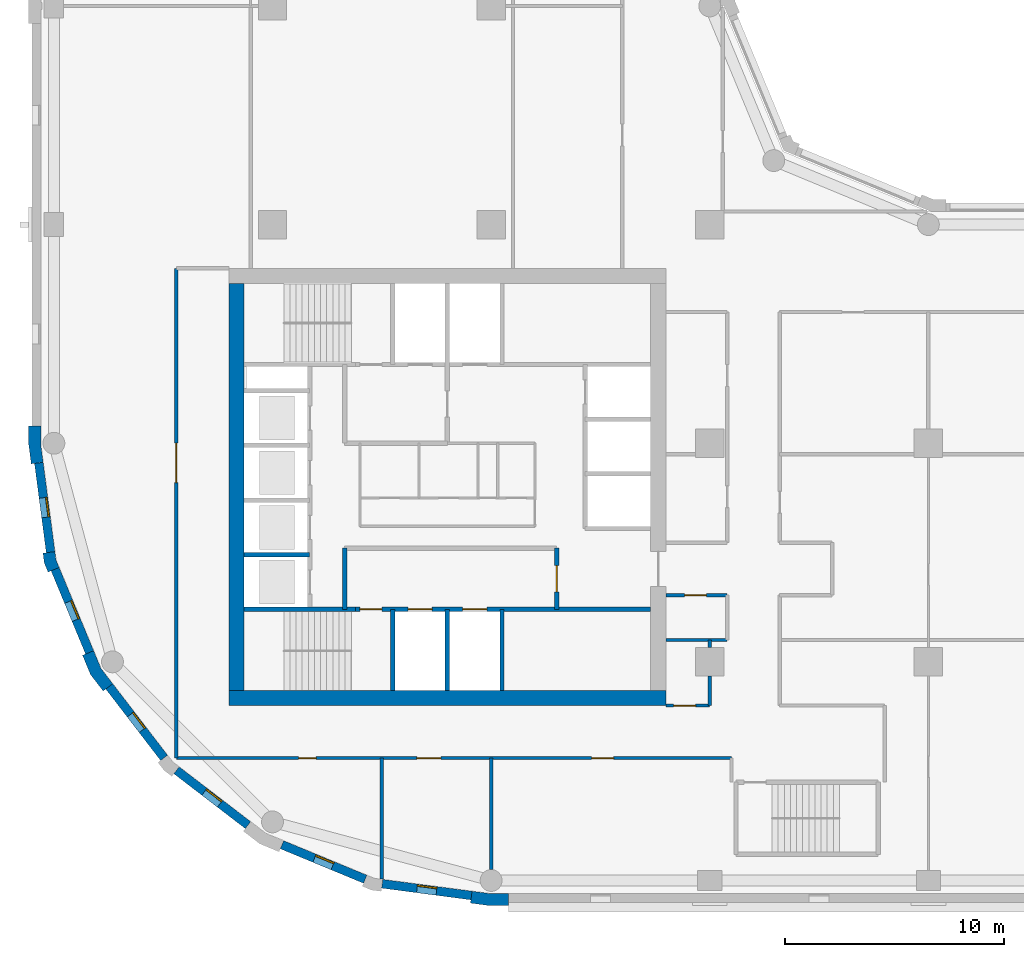
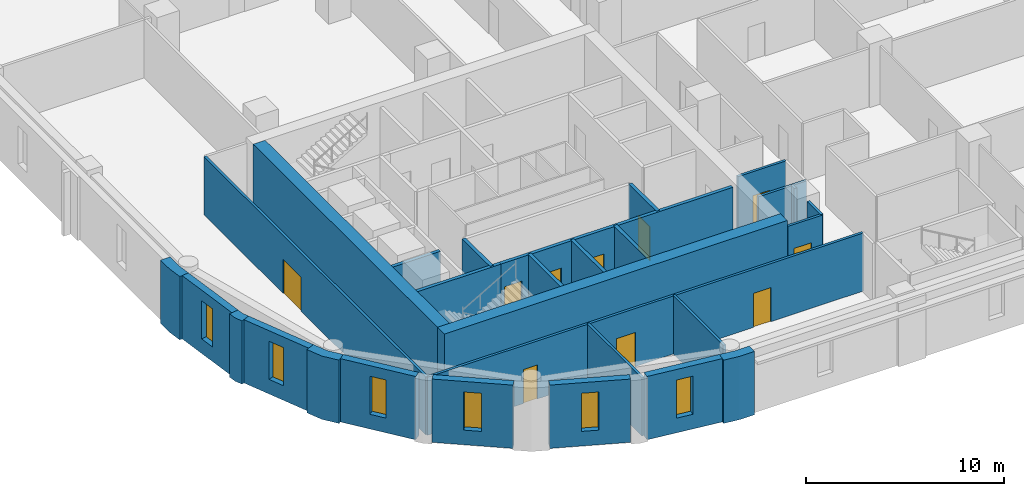
# One storey, part 2 of 9: 29 walls, 10 doors, 6 windows, 16 openings.
"""IFC4 building model written with IfcOpenShell, lengths in metres."""

from ifc_helpers import new_model, si_unit, direction, frame, frame_2d, origin, place, context, subcontext, project, spatial, polyline, rectangle, outline, extrude, material, layer, layer_set, type_object, element, fill, save


model = new_model("IFC4")

# Units and contexts
model_context = context("Model", 3, precision=1e-05, world=origin(), true_north=direction((0.0, 1.0)))
body_context = subcontext(model_context, "Body", "Model", "MODEL_VIEW")
ifc_project = project(units=[si_unit("LENGTHUNIT", "METRE"), si_unit("AREAUNIT", "SQUARE_METRE"), si_unit("VOLUMEUNIT", "CUBIC_METRE"), si_unit("PLANEANGLEUNIT", "RADIAN"), si_unit("MASSUNIT", "GRAM", prefix="KILO")], contexts=[model_context])

# Site, building, storey
site_placement = place(None, origin())
site = spatial("IfcSite", under=ifc_project, at=site_placement, CompositionType="ELEMENT")
building_placement = place(site_placement, origin())
building = spatial("IfcBuilding", under=site, at=building_placement, Name="Qaws Garden Tower", CompositionType="ELEMENT")
storey_placement = place(building_placement, frame((0.0, 0.0, 159.0)))
storey = spatial("IfcBuildingStorey", under=building, at=storey_placement, Name="L38", CompositionType="ELEMENT", Elevation=159.0)

# Wall, opening, window
ifc_material_1 = material(Name="Clay facing brick masonry", Category="masonry")
ifc_layer_1 = layer(ifc_material_1, 0.39990234375)
ifc_layer_set_1 = layer_set([ifc_layer_1], Name="Clay facing brick masonry")
wall_type_1 = type_object("IfcWallType", Name="Brick infill wall 400", PredefinedType="SOLIDWALL", material=ifc_layer_set_1)
wall_1_placement = place(storey_placement, frame((-0.688720703125, 19.102294921875, 0.0), z_axis=(0.0, 0.0, 1.0), x_axis=(0.130514280502, -0.991446429508, 0.0)))
wall_1 = element("IfcWall", 1, at=wall_1_placement, inside=storey, type_object=wall_type_1, Name="E-L38-infill-25", PredefinedType="SOLIDWALL", context=body_context, shape_type="SweptSolid", body=[
    extrude(rectangle(XDim=4.120849609375, YDim=0.39990234375, at=frame_2d((2.060546875, 0.0))), origin(), (0.0, 0.0, 1.0), 3.89990234375),
])
opening_1_placement = place(wall_1_placement, frame((1.610595703125, 0.0, 0.89990234375)))
opening_1 = element("IfcOpeningElement", 2, at=opening_1_placement, cuts=wall_1, Name="Opening W09", PredefinedType="OPENING", context=body_context, shape_type="SweptSolid", body=[
    extrude(rectangle(XDim=0.89990234375, YDim=2.35009765625, at=frame_2d((0.449951171875, 1.175048828125))), frame((0.0, 0.2099609375, 0.0), z_axis=(0.0, -1.0, 0.0), x_axis=(1.0, 0.0, 0.0)), (0.0, 0.0, 1.0), 0.419921875),
])
ifc_material_2 = material(Name="Aluminium framed window, clear glazing", Category="aluminium")
window_type = type_object("IfcWindowType", Name="Slit window 900 x 2350", PartitioningType="SINGLE_PANEL", PredefinedType="WINDOW", material=ifc_material_2)
window_1_placement = place(opening_1_placement, origin())
window_1 = element("IfcWindow", 3, at=window_1_placement, inside=storey, type_object=window_type, Name="E-L38-window-25-0", OverallHeight=2.35009765625, OverallWidth=0.89990234375, PartitioningType="SINGLE_PANEL", PredefinedType="WINDOW", context=body_context, shape_type="SweptSolid", body=[
    extrude(rectangle(XDim=0.89990234375, YDim=2.35009765625, at=frame_2d((0.449951171875, 1.175048828125))), frame((0.0, 0.159912109375, 0.0), z_axis=(0.0, -1.0, 0.0), x_axis=(1.0, 0.0, 0.0)), (0.0, 0.0, 1.0), 0.06005859375),
])
fill(opening_1, window_1)

wall_2_placement = place(storey_placement, frame((0.05712890625, 14.240234375, 0.0), z_axis=(0.0, 0.0, 1.0), x_axis=(0.382721546029, -0.923863744394, 0.0)))
wall_2 = element("IfcWall", 4, at=wall_2_placement, inside=storey, type_object=wall_type_1, Name="E-L38-infill-26", PredefinedType="SOLIDWALL", context=body_context, shape_type="SweptSolid", body=[
    extrude(rectangle(XDim=4.120849609375, YDim=0.39990234375, at=frame_2d((2.060546875, 0.0))), origin(), (0.0, 0.0, 1.0), 3.89990234375),
])
opening_2_placement = place(wall_2_placement, frame((1.610595703125, 0.0, 0.89990234375)))
opening_2 = element("IfcOpeningElement", 5, at=opening_2_placement, cuts=wall_2, Name="Opening W09", PredefinedType="OPENING", context=body_context, shape_type="SweptSolid", body=[
    extrude(rectangle(XDim=0.89990234375, YDim=2.35009765625, at=frame_2d((0.449951171875, 1.175048828125))), frame((0.0, 0.2099609375, 0.0), z_axis=(0.0, -1.0, 0.0), x_axis=(1.0, 0.0, 0.0)), (0.0, 0.0, 1.0), 0.419921875),
])
window_2_placement = place(opening_2_placement, origin())
window_2 = element("IfcWindow", 6, at=window_2_placement, inside=storey, type_object=window_type, Name="E-L38-window-26-0", OverallHeight=2.35009765625, OverallWidth=0.89990234375, PartitioningType="SINGLE_PANEL", PredefinedType="WINDOW", context=body_context, shape_type="SweptSolid", body=[
    extrude(rectangle(XDim=0.89990234375, YDim=2.35009765625, at=frame_2d((0.449951171875, 1.175048828125))), frame((0.0, 0.159912109375, 0.0), z_axis=(0.0, -1.0, 0.0), x_axis=(1.0, 0.0, 0.0)), (0.0, 0.0, 1.0), 0.06005859375),
])
fill(opening_2, window_2)

wall_3_placement = place(storey_placement, frame((2.53173828125, 8.87841796875, 0.0), z_axis=(0.0, 0.0, 1.0), x_axis=(0.608759824817, -0.793354571229, 0.0)))
wall_3 = element("IfcWall", 7, at=wall_3_placement, inside=storey, type_object=wall_type_1, Name="E-L38-infill-27", PredefinedType="SOLIDWALL", context=body_context, shape_type="SweptSolid", body=[
    extrude(rectangle(XDim=4.12109375, YDim=0.39990234375, at=frame_2d((2.060546875, 0.0))), origin(), (0.0, 0.0, 1.0), 3.89990234375),
])
opening_3_placement = place(wall_3_placement, frame((1.610595703125, 0.0, 0.89990234375)))
opening_3 = element("IfcOpeningElement", 8, at=opening_3_placement, cuts=wall_3, Name="Opening W09", PredefinedType="OPENING", context=body_context, shape_type="SweptSolid", body=[
    extrude(rectangle(XDim=0.89990234375, YDim=2.35009765625, at=frame_2d((0.449951171875, 1.175048828125))), frame((0.0, 0.2099609375, 0.0), z_axis=(0.0, -1.0, 0.0), x_axis=(1.0, 0.0, 0.0)), (0.0, 0.0, 1.0), 0.419921875),
])
window_3_placement = place(opening_3_placement, origin())
window_3 = element("IfcWindow", 9, at=window_3_placement, inside=storey, type_object=window_type, Name="E-L38-window-27-0", OverallHeight=2.35009765625, OverallWidth=0.89990234375, PartitioningType="SINGLE_PANEL", PredefinedType="WINDOW", context=body_context, shape_type="SweptSolid", body=[
    extrude(rectangle(XDim=0.89990234375, YDim=2.35009765625, at=frame_2d((0.449951171875, 1.175048828125))), frame((0.0, 0.159912109375, 0.0), z_axis=(0.0, -1.0, 0.0), x_axis=(1.0, 0.0, 0.0)), (0.0, 0.0, 1.0), 0.06005859375),
])
fill(opening_3, window_3)

wall_4_placement = place(storey_placement, frame((5.60888671875, 5.04052734375, 0.0), z_axis=(0.0, 0.0, 1.0), x_axis=(0.793354571229, -0.608759824817, 0.0)))
wall_4 = element("IfcWall", 10, at=wall_4_placement, inside=storey, type_object=wall_type_1, Name="E-L38-infill-28", PredefinedType="SOLIDWALL", context=body_context, shape_type="SweptSolid", body=[
    extrude(rectangle(XDim=4.12109375, YDim=0.39990234375, at=frame_2d((2.060546875, 0.0))), origin(), (0.0, 0.0, 1.0), 3.89990234375),
])
opening_4_placement = place(wall_4_placement, frame((1.610595703125, 0.0, 0.89990234375)))
opening_4 = element("IfcOpeningElement", 11, at=opening_4_placement, cuts=wall_4, Name="Opening W09", PredefinedType="OPENING", context=body_context, shape_type="SweptSolid", body=[
    extrude(rectangle(XDim=0.89990234375, YDim=2.35009765625, at=frame_2d((0.449951171875, 1.175048828125))), frame((0.0, 0.2099609375, 0.0), z_axis=(0.0, -1.0, 0.0), x_axis=(1.0, 0.0, 0.0)), (0.0, 0.0, 1.0), 0.419921875),
])
window_4_placement = place(opening_4_placement, origin())
window_4 = element("IfcWindow", 12, at=window_4_placement, inside=storey, type_object=window_type, Name="E-L38-window-28-0", OverallHeight=2.35009765625, OverallWidth=0.89990234375, PartitioningType="SINGLE_PANEL", PredefinedType="WINDOW", context=body_context, shape_type="SweptSolid", body=[
    extrude(rectangle(XDim=0.89990234375, YDim=2.35009765625, at=frame_2d((0.449951171875, 1.175048828125))), frame((0.0, 0.159912109375, 0.0), z_axis=(0.0, -1.0, 0.0), x_axis=(1.0, 0.0, 0.0)), (0.0, 0.0, 1.0), 0.06005859375),
])
fill(opening_4, window_4)

wall_5_placement = place(storey_placement, frame((10.43310546875, 1.63427734375, 0.0), z_axis=(0.0, 0.0, 1.0), x_axis=(0.923863744394, -0.382721546029, 0.0)))
wall_5 = element("IfcWall", 13, at=wall_5_placement, inside=storey, type_object=wall_type_1, Name="E-L38-infill-29", PredefinedType="SOLIDWALL", context=body_context, shape_type="SweptSolid", body=[
    extrude(rectangle(XDim=4.120849609375, YDim=0.39990234375, at=frame_2d((2.060546875, 0.0))), origin(), (0.0, 0.0, 1.0), 3.89990234375),
])
opening_5_placement = place(wall_5_placement, frame((1.610595703125, 0.0, 0.89990234375)))
opening_5 = element("IfcOpeningElement", 14, at=opening_5_placement, cuts=wall_5, Name="Opening W09", PredefinedType="OPENING", context=body_context, shape_type="SweptSolid", body=[
    extrude(rectangle(XDim=0.89990234375, YDim=2.35009765625, at=frame_2d((0.449951171875, 1.175048828125))), frame((0.0, 0.2099609375, 0.0), z_axis=(0.0, -1.0, 0.0), x_axis=(1.0, 0.0, 0.0)), (0.0, 0.0, 1.0), 0.419921875),
])
window_5_placement = place(opening_5_placement, origin())
window_5 = element("IfcWindow", 15, at=window_5_placement, inside=storey, type_object=window_type, Name="E-L38-window-29-0", OverallHeight=2.35009765625, OverallWidth=0.89990234375, PartitioningType="SINGLE_PANEL", PredefinedType="WINDOW", context=body_context, shape_type="SweptSolid", body=[
    extrude(rectangle(XDim=0.89990234375, YDim=2.35009765625, at=frame_2d((0.449951171875, 1.175048828125))), frame((0.0, 0.159912109375, 0.0), z_axis=(0.0, -1.0, 0.0), x_axis=(1.0, 0.0, 0.0)), (0.0, 0.0, 1.0), 0.06005859375),
])
fill(opening_5, window_5)

wall_6_placement = place(storey_placement, frame((15.0166015625, -0.15087890625, 0.0), z_axis=(0.0, 0.0, 1.0), x_axis=(0.991446429508, -0.130514280502, 0.0)))
wall_6 = element("IfcWall", 16, at=wall_6_placement, inside=storey, type_object=wall_type_1, Name="E-L38-infill-30", PredefinedType="SOLIDWALL", context=body_context, shape_type="SweptSolid", body=[
    extrude(rectangle(XDim=4.120849609375, YDim=0.39990234375, at=frame_2d((2.060546875, 0.0))), origin(), (0.0, 0.0, 1.0), 3.89990234375),
])
opening_6_placement = place(wall_6_placement, frame((1.610595703125, 0.0, 0.89990234375)))
opening_6 = element("IfcOpeningElement", 17, at=opening_6_placement, cuts=wall_6, Name="Opening W09", PredefinedType="OPENING", context=body_context, shape_type="SweptSolid", body=[
    extrude(rectangle(XDim=0.89990234375, YDim=2.35009765625, at=frame_2d((0.449951171875, 1.175048828125))), frame((0.0, 0.2099609375, 0.0), z_axis=(0.0, -1.0, 0.0), x_axis=(1.0, 0.0, 0.0)), (0.0, 0.0, 1.0), 0.419921875),
])
window_6_placement = place(opening_6_placement, origin())
window_6 = element("IfcWindow", 18, at=window_6_placement, inside=storey, type_object=window_type, Name="E-L38-window-30-0", OverallHeight=2.35009765625, OverallWidth=0.89990234375, PartitioningType="SINGLE_PANEL", PredefinedType="WINDOW", context=body_context, shape_type="SweptSolid", body=[
    extrude(rectangle(XDim=0.89990234375, YDim=2.35009765625, at=frame_2d((0.449951171875, 1.175048828125))), frame((0.0, 0.159912109375, 0.0), z_axis=(0.0, -1.0, 0.0), x_axis=(1.0, 0.0, 0.0)), (0.0, 0.0, 1.0), 0.06005859375),
])
fill(opening_6, window_6)

# Walls
ifc_material_3 = material(Name="Clay facing brick masonry", Category="masonry")
ifc_layer_2 = layer(ifc_material_3, 0.550048828125)
ifc_layer_set_2 = layer_set([ifc_layer_2], Name="Clay facing brick masonry")
wall_type_2 = type_object("IfcWallType", Name="Brick kink pier 550 x 600", PredefinedType="SOLIDWALL", material=ifc_layer_set_2)
placement = place(storey_placement, origin())
element("IfcWall", 19, at=placement, inside=storey, type_object=wall_type_2, Name="E-L38-pier-26", PredefinedType="SOLIDWALL", context=body_context, shape_type="SweptSolid", body=[
    extrude(outline(polyline([(-0.34912109375, 14.990478515625), (-0.497802734375, 14.970947265625), (-0.43896484375, 14.5234375), (-0.26611328125, 14.1064453125), (-0.127685546875, 14.163818359375), (0.241943359375, 14.31689453125), (0.096923828125, 14.6669921875), (0.04736328125, 15.042724609375), (-0.34912109375, 14.990478515625)])), origin(), (0.0, 0.0, 1.0), 3.89990234375),
])
ifc_material_4 = material(Name="Clay facing brick masonry", Category="masonry")
ifc_layer_3 = layer(ifc_material_4, 0.550048828125)
ifc_layer_set_3 = layer_set([ifc_layer_3], Name="Clay facing brick masonry")
wall_type_3 = type_object("IfcWallType", Name="Brick pier 550 x 1600", PredefinedType="SOLIDWALL", material=ifc_layer_set_3)
element("IfcWall", 20, at=placement, inside=storey, type_object=wall_type_3, Name="E-L38-pier-00", PredefinedType="SOLIDWALL", context=body_context, shape_type="SweptSolid", body=[
    extrude(outline(polyline([(19.076416015625, -0.886962890625), (19.056640625, -1.03564453125), (19.924560546875, -1.14990234375), (20.800048828125, -1.14990234375), (20.800048828125, -1.0), (20.800048828125, -0.60009765625), (19.960693359375, -0.60009765625), (19.12841796875, -0.490478515625), (19.076416015625, -0.886962890625)])), origin(), (0.0, 0.0, 1.0), 3.89990234375),
])
element("IfcWall", 21, at=placement, inside=storey, type_object=wall_type_3, Name="E-L38-pier-25", PredefinedType="SOLIDWALL", context=body_context, shape_type="SweptSolid", body=[
    extrude(outline(polyline([(-1.0, 20.800048828125), (-1.14990234375, 20.800048828125), (-1.14990234375, 19.924560546875), (-1.03564453125, 19.056640625), (-0.886962890625, 19.076416015625), (-0.490478515625, 19.12841796875), (-0.60009765625, 19.960693359375), (-0.60009765625, 20.800048828125), (-1.0, 20.800048828125)])), origin(), (0.0, 0.0, 1.0), 3.89990234375),
])
element("IfcWall", 22, at=placement, inside=storey, type_object=wall_type_3, Name="E-L38-pier-27", PredefinedType="SOLIDWALL", context=body_context, shape_type="SweptSolid", body=[
    extrude(outline(polyline([(1.449462890625, 10.3564453125), (1.310791015625, 10.299072265625), (1.675048828125, 9.419921875), (2.254150390625, 8.665283203125), (2.373046875, 8.756591796875), (2.6904296875, 9.0), (2.1552734375, 9.697509765625), (1.819091796875, 10.509521484375), (1.449462890625, 10.3564453125)])), origin(), (0.0, 0.0, 1.0), 3.89990234375),
])
ifc_material_5 = material(Name="Concrete C70", Category="concrete")
ifc_layer_4 = layer(ifc_material_5, 0.199951171875)
ifc_layer_set_4 = layer_set([ifc_layer_4], Name="Concrete C70")
wall_type_4 = type_object("IfcWallType", Name="Core shaft wall 200 C70", PredefinedType="SHEAR", material=ifc_layer_set_4)
wall_11_placement = place(storey_placement, frame((8.699951171875, 12.39990234375, 0.0), z_axis=(0.0, 0.0, 1.0), x_axis=(1.0, 0.0, 0.0)))
element("IfcWall", 23, at=wall_11_placement, inside=storey, type_object=wall_type_4, Name="Shaft wall", PredefinedType="SHEAR", context=body_context, shape_type="SweptSolid", body=[
    extrude(rectangle(XDim=5.10009765625, YDim=0.199951171875, at=frame_2d((2.550048828125, 0.0))), origin(), (0.0, 0.0, 1.0), 3.580078125),
])

# Wall, openings, doors
wall_12_placement = place(storey_placement, frame((13.800048828125, 12.39990234375, 0.0), z_axis=(0.0, 0.0, 1.0), x_axis=(1.0, 0.0, 0.0)))
wall_12 = element("IfcWall", 24, at=wall_12_placement, inside=storey, type_object=wall_type_4, Name="Shaft wall", PredefinedType="SHEAR", context=body_context, shape_type="SweptSolid", body=[
    extrude(rectangle(XDim=13.5, YDim=0.199951171875, at=frame_2d((6.75, 0.0))), origin(), (0.0, 0.0, 1.0), 3.580078125),
])
opening_7_placement = place(wall_12_placement, frame((2.39990234375, 0.0, 0.0)))
opening_7 = element("IfcOpeningElement", 25, at=opening_7_placement, cuts=wall_12, Name="Opening LD06", PredefinedType="OPENING", context=body_context, shape_type="SweptSolid", body=[
    extrude(rectangle(XDim=1.10009765625, YDim=2.10009765625, at=frame_2d((0.550048828125, 1.050048828125))), frame((0.0, 0.10986328125, 0.0), z_axis=(0.0, -1.0, 0.0), x_axis=(1.0, 0.0, 0.0)), (0.0, 0.0, 1.0), 0.219970703125),
])
opening_8_placement = place(wall_12_placement, frame((4.89990234375, 0.0, 0.0)))
opening_8 = element("IfcOpeningElement", 26, at=opening_8_placement, cuts=wall_12, Name="Opening LD07", PredefinedType="OPENING", context=body_context, shape_type="SweptSolid", body=[
    extrude(rectangle(XDim=1.10009765625, YDim=2.10009765625, at=frame_2d((0.550048828125, 1.050048828125))), frame((0.0, 0.10986328125, 0.0), z_axis=(0.0, -1.0, 0.0), x_axis=(1.0, 0.0, 0.0)), (0.0, 0.0, 1.0), 0.219970703125),
])
opening_9_placement = place(wall_12_placement, frame((0.199951171875, 0.0, 0.0)))
opening_9 = element("IfcOpeningElement", 27, at=opening_9_placement, cuts=wall_12, Name="Opening SD10", PredefinedType="OPENING", context=body_context, shape_type="SweptSolid", body=[
    extrude(rectangle(XDim=1.0, YDim=2.10009765625, at=frame_2d((0.5, 1.050048828125))), frame((0.0, 0.10986328125, 0.0), z_axis=(0.0, -1.0, 0.0), x_axis=(1.0, 0.0, 0.0)), (0.0, 0.0, 1.0), 0.219970703125),
])
ifc_material_6 = material(Name="Steel S235", Category="steel")
door_type_1 = type_object("IfcDoorType", Name="Landing door 1100x2100", OperationType="DOUBLE_DOOR_SLIDING", PredefinedType="DOOR", material=ifc_material_6)
door_1_placement = place(opening_7_placement, origin())
door_1 = element("IfcDoor", 28, at=door_1_placement, inside=storey, type_object=door_type_1, Name="Lift FF1 landing door", OperationType="DOUBLE_DOOR_SLIDING", OverallHeight=2.10009765625, OverallWidth=1.10009765625, PredefinedType="DOOR", context=body_context, shape_type="SweptSolid", body=[
    extrude(rectangle(XDim=1.10009765625, YDim=2.10009765625, at=frame_2d((0.550048828125, 1.050048828125))), frame((0.0, 0.02490234375, 0.0), z_axis=(0.0, -1.0, 0.0), x_axis=(1.0, 0.0, 0.0)), (0.0, 0.0, 1.0), 0.050048828125),
])
fill(opening_7, door_1)
door_2_placement = place(opening_8_placement, origin())
door_2 = element("IfcDoor", 29, at=door_2_placement, inside=storey, type_object=door_type_1, Name="Lift FF2 landing door", OperationType="DOUBLE_DOOR_SLIDING", OverallHeight=2.10009765625, OverallWidth=1.10009765625, PredefinedType="DOOR", context=body_context, shape_type="SweptSolid", body=[
    extrude(rectangle(XDim=1.10009765625, YDim=2.10009765625, at=frame_2d((0.550048828125, 1.050048828125))), frame((0.0, 0.02490234375, 0.0), z_axis=(0.0, -1.0, 0.0), x_axis=(1.0, 0.0, 0.0)), (0.0, 0.0, 1.0), 0.050048828125),
])
fill(opening_8, door_2)
ifc_material_7 = material(Name="Steel S235", Category="steel")
door_type_2 = type_object("IfcDoorType", Name="Stair door 1000x2100", OperationType="SINGLE_SWING_RIGHT", PredefinedType="DOOR", material=ifc_material_7)
door_3_placement = place(opening_9_placement, frame((1.0, 0.0, 0.0), z_axis=(0.0, 0.0, 1.0), x_axis=(-1.0, 0.0, 0.0)))
door_3 = element("IfcDoor", 30, at=door_3_placement, inside=storey, type_object=door_type_2, Name="Stair 1 door", OperationType="SINGLE_SWING_LEFT", OverallHeight=2.10009765625, OverallWidth=1.0, PredefinedType="DOOR", context=body_context, shape_type="SweptSolid", body=[
    extrude(rectangle(XDim=1.0, YDim=2.10009765625, at=frame_2d((0.5, 1.050048828125))), frame((0.0, 0.02490234375, 0.0), z_axis=(0.0, -1.0, 0.0), x_axis=(1.0, 0.0, 0.0)), (0.0, 0.0, 1.0), 0.050048828125),
])
fill(opening_9, door_3)

# Walls
wall_13_placement = place(storey_placement, frame((8.699951171875, 14.89990234375, 0.0), z_axis=(0.0, 0.0, 1.0), x_axis=(1.0, 0.0, 0.0)))
element("IfcWall", 31, at=wall_13_placement, inside=storey, type_object=wall_type_4, Name="Shaft wall", PredefinedType="SHEAR", context=body_context, shape_type="SweptSolid", body=[
    extrude(rectangle(XDim=3.0, YDim=0.199951171875, at=frame_2d((1.5, 0.0))), origin(), (0.0, 0.0, 1.0), 3.580078125),
])
wall_14_placement = place(storey_placement, frame((13.300048828125, 12.39990234375, 0.0), z_axis=(0.0, 0.0, 1.0), x_axis=(0.0, 1.0, 0.0)))
element("IfcWall", 32, at=wall_14_placement, inside=storey, type_object=wall_type_4, Name="Shaft wall", PredefinedType="SHEAR", context=body_context, shape_type="SweptSolid", body=[
    extrude(rectangle(XDim=2.800048828125, YDim=0.199951171875, at=frame_2d((1.39990234375, 0.0))), origin(), (0.0, 0.0, 1.0), 3.580078125),
])
for number, where, z_axis, x_axis, name in (
    (33, (15.5, 8.699951171875, 0.0), (0.0, 0.0, 1.0), (0.0, 1.0, 0.0), "Shaft wall"),
    (34, (18.0, 8.699951171875, 0.0), (0.0, 0.0, 1.0), (0.0, 1.0, 0.0), "Shaft wall"),
    (35, (20.5, 8.699951171875, 0.0), (0.0, 0.0, 1.0), (0.0, 1.0, 0.0), "Shaft wall"),
):
    element("IfcWall", number, at=place(storey_placement, frame(where, z_axis=z_axis, x_axis=x_axis)), inside=storey, type_object=wall_type_4, Name=name, PredefinedType="SHEAR", context=body_context, shape_type="SweptSolid", body=[
        extrude(rectangle(XDim=3.699951171875, YDim=0.199951171875, at=frame_2d((1.85009765625, 0.0))), origin(), (0.0, 0.0, 1.0), 3.580078125),
    ])

# Wall, opening, door
wall_15_placement = place(storey_placement, frame((23.0, 12.39990234375, 0.0), z_axis=(0.0, 0.0, 1.0), x_axis=(0.0, 1.0, 0.0)))
wall_15 = element("IfcWall", 36, at=wall_15_placement, inside=storey, type_object=wall_type_4, Name="Shaft wall", PredefinedType="SHEAR", context=body_context, shape_type="SweptSolid", body=[
    extrude(rectangle(XDim=2.800048828125, YDim=0.199951171875, at=frame_2d((1.39990234375, 0.0))), origin(), (0.0, 0.0, 1.0), 3.580078125),
])
opening_10_placement = place(wall_15_placement, frame((0.800048828125, 0.0, 0.0)))
opening_10 = element("IfcOpeningElement", 37, at=opening_10_placement, cuts=wall_15, Name="Opening FD15", PredefinedType="OPENING", context=body_context, shape_type="SweptSolid", body=[
    extrude(rectangle(XDim=1.199951171875, YDim=2.10009765625, at=frame_2d((0.60009765625, 1.050048828125))), frame((0.0, 0.10986328125, 0.0), z_axis=(0.0, -1.0, 0.0), x_axis=(1.0, 0.0, 0.0)), (0.0, 0.0, 1.0), 0.219970703125),
])
ifc_material_8 = material(Name="Steel S235", Category="steel")
door_type_3 = type_object("IfcDoorType", Name="Lobby door 1200x2100", OperationType="DOUBLE_DOOR_SINGLE_SWING", PredefinedType="DOOR", material=ifc_material_8)
door_4_placement = place(opening_10_placement, origin())
door_4 = element("IfcDoor", 38, at=door_4_placement, inside=storey, type_object=door_type_3, Name="Fire-fighting lobby door", OperationType="DOUBLE_DOOR_SINGLE_SWING", OverallHeight=2.10009765625, OverallWidth=1.199951171875, PredefinedType="DOOR", context=body_context, shape_type="SweptSolid", body=[
    extrude(rectangle(XDim=1.199951171875, YDim=2.10009765625, at=frame_2d((0.60009765625, 1.050048828125))), frame((0.0, 0.02490234375, 0.0), z_axis=(0.0, -1.0, 0.0), x_axis=(1.0, 0.0, 0.0)), (0.0, 0.0, 1.0), 0.050048828125),
])
fill(opening_10, door_4)

# Walls
ifc_material_9 = material(Name="Concrete C70", Category="concrete")
ifc_layer_5 = layer(ifc_material_9, 0.699951171875)
ifc_layer_set_5 = layer_set([ifc_layer_5], Name="Concrete C70")
wall_type_5 = type_object("IfcWallType", Name="Core wall 700 C70", PredefinedType="SHEAR", material=ifc_layer_set_5)
wall_16_placement = place(storey_placement, frame((8.0, 8.35009765625, 0.0), z_axis=(0.0, 0.0, 1.0), x_axis=(1.0, 0.0, 0.0)))
element("IfcWall", 39, at=wall_16_placement, inside=storey, type_object=wall_type_5, Name="Core wall L38 south", PredefinedType="SHEAR", context=body_context, shape_type="SweptSolid", body=[
    extrude(rectangle(XDim=20.0, YDim=0.699951171875, at=frame_2d((10.0, 0.0))), origin(), (0.0, 0.0, 1.0), 3.89990234375),
])
wall_17_placement = place(storey_placement, frame((8.35009765625, 27.300048828125, 0.0), z_axis=(0.0, 0.0, 1.0), x_axis=(0.0, -1.0, 0.0)))
element("IfcWall", 40, at=wall_17_placement, inside=storey, type_object=wall_type_5, Name="Core wall L38 west", PredefinedType="SHEAR", context=body_context, shape_type="SweptSolid", body=[
    extrude(rectangle(XDim=18.60009765625, YDim=0.699951171875, at=frame_2d((9.300048828125, 0.0))), origin(), (0.0, 0.0, 1.0), 3.89990234375),
])

# Wall, opening, door
ifc_material_10 = material(Name="Gypsum board partition")
ifc_layer_6 = layer(ifc_material_10, 0.14990234375)
ifc_layer_set_6 = layer_set([ifc_layer_6], Name="Gypsum board partition")
wall_type_6 = type_object("IfcWallType", Name="PARTITION 150 EI 60", PredefinedType="PARTITIONING", material=ifc_layer_set_6)
wall_18_placement = place(storey_placement, frame((5.60009765625, 5.60009765625, 0.0), z_axis=(0.0, 0.0, 1.0), x_axis=(0.0, 1.0, 0.0)))
wall_18 = element("IfcWall", 41, at=wall_18_placement, inside=storey, type_object=wall_type_6, Name="O-L38-wall-006", PredefinedType="PARTITIONING", context=body_context, shape_type="SweptSolid", body=[
    extrude(rectangle(XDim=22.39990234375, YDim=0.14990234375, at=frame_2d((11.199951171875, 0.0))), origin(), (0.0, 0.0, 1.0), 3.580078125),
])
opening_11_placement = place(wall_18_placement, frame((12.60009765625, 0.0, 0.0)))
opening_11 = element("IfcOpeningElement", 42, at=opening_11_placement, cuts=wall_18, Name="Opening B311", PredefinedType="OPENING", context=body_context, shape_type="SweptSolid", body=[
    extrude(rectangle(XDim=1.800048828125, YDim=2.10009765625, at=frame_2d((0.89990234375, 1.050048828125))), frame((0.0, 0.0849609375, 0.0), z_axis=(0.0, -1.0, 0.0), x_axis=(1.0, 0.0, 0.0)), (0.0, 0.0, 1.0), 0.169921875),
])
ifc_material_11 = material(Name="Timber door leaf", Category="wood")
door_type_4 = type_object("IfcDoorType", Name="DOUBLE DOOR 1800 X 2100", OperationType="DOUBLE_DOOR_SINGLE_SWING", PredefinedType="DOOR", material=ifc_material_11)
door_5_placement = place(opening_11_placement, origin())
door_5 = element("IfcDoor", 43, at=door_5_placement, inside=storey, type_object=door_type_4, Name="O-L38-door-011", OperationType="DOUBLE_DOOR_SINGLE_SWING", OverallHeight=2.10009765625, OverallWidth=1.800048828125, PredefinedType="DOOR", context=body_context, shape_type="SweptSolid", body=[
    extrude(rectangle(XDim=1.800048828125, YDim=2.10009765625, at=frame_2d((0.89990234375, 1.050048828125))), frame((0.0, 0.02490234375, 0.0), z_axis=(0.0, -1.0, 0.0), x_axis=(1.0, 0.0, 0.0)), (0.0, 0.0, 1.0), 0.050048828125),
])
fill(opening_11, door_5)

# Walls
wall_19_placement = place(storey_placement, frame((15.0, 0.06298828125, 0.0), z_axis=(0.0, 0.0, 1.0), x_axis=(0.0, 1.0, 0.0)))
element("IfcWall", 44, at=wall_19_placement, inside=storey, type_object=wall_type_6, Name="O-L38-wall-010", PredefinedType="PARTITIONING", context=body_context, shape_type="SweptSolid", body=[
    extrude(rectangle(XDim=5.537109375, YDim=0.14990234375, at=frame_2d((2.7685546875, 0.0))), origin(), (0.0, 0.0, 1.0), 3.580078125),
])
wall_20_placement = place(storey_placement, frame((20.0, 0.5, 0.0), z_axis=(0.0, 0.0, 1.0), x_axis=(0.0, 1.0, 0.0)))
element("IfcWall", 45, at=wall_20_placement, inside=storey, type_object=wall_type_6, Name="O-L38-wall-012", PredefinedType="PARTITIONING", context=body_context, shape_type="SweptSolid", body=[
    extrude(rectangle(XDim=5.10009765625, YDim=0.14990234375, at=frame_2d((2.550048828125, 0.0))), origin(), (0.0, 0.0, 1.0), 3.580078125),
])
wall_21_placement = place(storey_placement, frame((30.0, 8.0, 0.0), z_axis=(0.0, 0.0, 1.0), x_axis=(0.0, 1.0, 0.0)))
element("IfcWall", 46, at=wall_21_placement, inside=storey, type_object=wall_type_6, Name="O-L38-wall-016", PredefinedType="PARTITIONING", context=body_context, shape_type="SweptSolid", body=[
    extrude(rectangle(XDim=1.35009765625, YDim=0.14990234375, at=frame_2d((0.675048828125, 0.0))), origin(), (0.0, 0.0, 1.0), 3.580078125),
])
wall_22_placement = place(storey_placement, frame((30.0, 10.64990234375, 0.0), z_axis=(0.0, 0.0, 1.0), x_axis=(0.0, 1.0, 0.0)))
element("IfcWall", 47, at=wall_22_placement, inside=storey, type_object=wall_type_6, Name="O-L38-wall-017", PredefinedType="PARTITIONING", context=body_context, shape_type="SweptSolid", body=[
    extrude(rectangle(XDim=0.35009765625, YDim=0.14990234375, at=frame_2d((0.175048828125, 0.0))), origin(), (0.0, 0.0, 1.0), 3.580078125),
])

# Wall, openings, doors
wall_23_placement = place(storey_placement, frame((5.60009765625, 5.60009765625, 0.0), z_axis=(0.0, 0.0, 1.0), x_axis=(1.0, 0.0, 0.0)))
wall_23 = element("IfcWall", 48, at=wall_23_placement, inside=storey, type_object=wall_type_6, Name="O-L38-wall-030", PredefinedType="PARTITIONING", context=body_context, shape_type="SweptSolid", body=[
    extrude(rectangle(XDim=25.39990234375, YDim=0.14990234375, at=frame_2d((12.699951171875, 0.0))), origin(), (0.0, 0.0, 1.0), 3.580078125),
])
opening_12_placement = place(wall_23_placement, frame((5.60009765625, 0.0, 0.0)))
opening_12 = element("IfcOpeningElement", 49, at=opening_12_placement, cuts=wall_23, Name="Opening B301", PredefinedType="OPENING", context=body_context, shape_type="SweptSolid", body=[
    extrude(rectangle(XDim=0.800048828125, YDim=2.10009765625, at=frame_2d((0.39990234375, 1.050048828125))), frame((0.0, 0.0849609375, 0.0), z_axis=(0.0, -1.0, 0.0), x_axis=(1.0, 0.0, 0.0)), (0.0, 0.0, 1.0), 0.169921875),
])
opening_13_placement = place(wall_23_placement, frame((11.0, 0.0, 0.0)))
opening_13 = element("IfcOpeningElement", 50, at=opening_13_placement, cuts=wall_23, Name="Opening B302", PredefinedType="OPENING", context=body_context, shape_type="SweptSolid", body=[
    extrude(rectangle(XDim=1.10009765625, YDim=2.10009765625, at=frame_2d((0.550048828125, 1.050048828125))), frame((0.0, 0.0849609375, 0.0), z_axis=(0.0, -1.0, 0.0), x_axis=(1.0, 0.0, 0.0)), (0.0, 0.0, 1.0), 0.169921875),
])
opening_14_placement = place(wall_23_placement, frame((19.0, 0.0, 0.0)))
opening_14 = element("IfcOpeningElement", 51, at=opening_14_placement, cuts=wall_23, Name="Opening B303", PredefinedType="OPENING", context=body_context, shape_type="SweptSolid", body=[
    extrude(rectangle(XDim=1.0, YDim=2.10009765625, at=frame_2d((0.5, 1.050048828125))), frame((0.0, 0.0849609375, 0.0), z_axis=(0.0, -1.0, 0.0), x_axis=(1.0, 0.0, 0.0)), (0.0, 0.0, 1.0), 0.169921875),
])
ifc_material_12 = material(Name="Timber door leaf", Category="wood")
door_type_5 = type_object("IfcDoorType", Name="SERVICE ROOM DOOR 1100 X 2100", OperationType="SINGLE_SWING_LEFT", PredefinedType="DOOR", material=ifc_material_12)
door_6_placement = place(opening_13_placement, frame((1.10009765625, 0.0, 0.0), z_axis=(0.0, 0.0, 1.0), x_axis=(-1.0, 0.0, 0.0)))
door_6 = element("IfcDoor", 52, at=door_6_placement, inside=storey, type_object=door_type_5, Name="O-L38-door-002", OperationType="SINGLE_SWING_LEFT", OverallHeight=2.10009765625, OverallWidth=1.10009765625, PredefinedType="DOOR", context=body_context, shape_type="SweptSolid", body=[
    extrude(rectangle(XDim=1.10009765625, YDim=2.10009765625, at=frame_2d((0.550048828125, 1.050048828125))), frame((0.0, 0.02490234375, 0.0), z_axis=(0.0, -1.0, 0.0), x_axis=(1.0, 0.0, 0.0)), (0.0, 0.0, 1.0), 0.050048828125),
])
fill(opening_13, door_6)
ifc_material_13 = material(Name="Timber door leaf", Category="wood")
door_type_6 = type_object("IfcDoorType", Name="STORE DOOR 800 X 2100", OperationType="SINGLE_SWING_LEFT", PredefinedType="DOOR", material=ifc_material_13)
door_7_placement = place(opening_12_placement, frame((0.800048828125, 0.0, 0.0), z_axis=(0.0, 0.0, 1.0), x_axis=(-1.0, 0.0, 0.0)))
door_7 = element("IfcDoor", 53, at=door_7_placement, inside=storey, type_object=door_type_6, Name="O-L38-door-001", OperationType="SINGLE_SWING_LEFT", OverallHeight=2.10009765625, OverallWidth=0.800048828125, PredefinedType="DOOR", context=body_context, shape_type="SweptSolid", body=[
    extrude(rectangle(XDim=0.800048828125, YDim=2.10009765625, at=frame_2d((0.39990234375, 1.050048828125))), frame((0.0, 0.02490234375, 0.0), z_axis=(0.0, -1.0, 0.0), x_axis=(1.0, 0.0, 0.0)), (0.0, 0.0, 1.0), 0.050048828125),
])
fill(opening_12, door_7)
ifc_material_14 = material(Name="Timber door leaf", Category="wood")
door_type_7 = type_object("IfcDoorType", Name="TENANCY ENTRANCE DOOR 1000 X 2100", OperationType="SINGLE_SWING_LEFT", PredefinedType="DOOR", material=ifc_material_14)
door_8_placement = place(opening_14_placement, frame((1.0, 0.0, 0.0), z_axis=(0.0, 0.0, 1.0), x_axis=(-1.0, 0.0, 0.0)))
door_8 = element("IfcDoor", 54, at=door_8_placement, inside=storey, type_object=door_type_7, Name="O-L38-door-003", OperationType="SINGLE_SWING_LEFT", OverallHeight=2.10009765625, OverallWidth=1.0, PredefinedType="DOOR", context=body_context, shape_type="SweptSolid", body=[
    extrude(rectangle(XDim=1.0, YDim=2.10009765625, at=frame_2d((0.5, 1.050048828125))), frame((0.0, 0.02490234375, 0.0), z_axis=(0.0, -1.0, 0.0), x_axis=(1.0, 0.0, 0.0)), (0.0, 0.0, 1.0), 0.050048828125),
])
fill(opening_14, door_8)

# Wall, opening, door
wall_24_placement = place(storey_placement, frame((28.0, 8.0, 0.0), z_axis=(0.0, 0.0, 1.0), x_axis=(1.0, 0.0, 0.0)))
wall_24 = element("IfcWall", 55, at=wall_24_placement, inside=storey, type_object=wall_type_6, Name="O-L38-wall-031", PredefinedType="PARTITIONING", context=body_context, shape_type="SweptSolid", body=[
    extrude(rectangle(XDim=2.0, YDim=0.14990234375, at=frame_2d((1.0, 0.0))), origin(), (0.0, 0.0, 1.0), 3.580078125),
])
opening_15_placement = place(wall_24_placement, frame((0.35009765625, 0.0, 0.0)))
opening_15 = element("IfcOpeningElement", 56, at=opening_15_placement, cuts=wall_24, Name="Opening B304", PredefinedType="OPENING", context=body_context, shape_type="SweptSolid", body=[
    extrude(rectangle(XDim=1.0, YDim=2.10009765625, at=frame_2d((0.5, 1.050048828125))), frame((0.0, 0.0849609375, 0.0), z_axis=(0.0, -1.0, 0.0), x_axis=(1.0, 0.0, 0.0)), (0.0, 0.0, 1.0), 0.169921875),
])
door_9_placement = place(opening_15_placement, origin())
door_9 = element("IfcDoor", 57, at=door_9_placement, inside=storey, type_object=door_type_7, Name="O-L38-door-004", OperationType="SINGLE_SWING_LEFT", OverallHeight=2.10009765625, OverallWidth=1.0, PredefinedType="DOOR", context=body_context, shape_type="SweptSolid", body=[
    extrude(rectangle(XDim=1.0, YDim=2.10009765625, at=frame_2d((0.5, 1.050048828125))), frame((0.0, 0.02490234375, 0.0), z_axis=(0.0, -1.0, 0.0), x_axis=(1.0, 0.0, 0.0)), (0.0, 0.0, 1.0), 0.050048828125),
])
fill(opening_15, door_9)

# Wall
wall_25_placement = place(storey_placement, frame((28.0, 11.0, 0.0), z_axis=(0.0, 0.0, 1.0), x_axis=(1.0, 0.0, 0.0)))
element("IfcWall", 58, at=wall_25_placement, inside=storey, type_object=wall_type_6, Name="O-L38-wall-033", PredefinedType="PARTITIONING", context=body_context, shape_type="SweptSolid", body=[
    extrude(rectangle(XDim=2.800048828125, YDim=0.14990234375, at=frame_2d((1.39990234375, 0.0))), origin(), (0.0, 0.0, 1.0), 3.580078125),
])

# Wall, opening, door
wall_26_placement = place(storey_placement, frame((28.0, 13.050048828125, 0.0), z_axis=(0.0, 0.0, 1.0), x_axis=(1.0, 0.0, 0.0)))
wall_26 = element("IfcWall", 59, at=wall_26_placement, inside=storey, type_object=wall_type_6, Name="O-L38-wall-035", PredefinedType="PARTITIONING", context=body_context, shape_type="SweptSolid", body=[
    extrude(rectangle(XDim=2.800048828125, YDim=0.14990234375, at=frame_2d((1.39990234375, 0.0))), origin(), (0.0, 0.0, 1.0), 3.580078125),
])
opening_16_placement = place(wall_26_placement, frame((0.85009765625, 0.0, 0.0)))
opening_16 = element("IfcOpeningElement", 60, at=opening_16_placement, cuts=wall_26, Name="Opening B319", PredefinedType="OPENING", context=body_context, shape_type="SweptSolid", body=[
    extrude(rectangle(XDim=1.0, YDim=2.10009765625, at=frame_2d((0.5, 1.050048828125))), frame((0.0, 0.0849609375, 0.0), z_axis=(0.0, -1.0, 0.0), x_axis=(1.0, 0.0, 0.0)), (0.0, 0.0, 1.0), 0.169921875),
])
door_10_placement = place(opening_16_placement, frame((1.0, 0.0, 0.0), z_axis=(0.0, 0.0, 1.0), x_axis=(-1.0, 0.0, 0.0)))
door_10 = element("IfcDoor", 61, at=door_10_placement, inside=storey, type_object=door_type_7, Name="O-L38-door-019", OperationType="SINGLE_SWING_LEFT", OverallHeight=2.10009765625, OverallWidth=1.0, PredefinedType="DOOR", context=body_context, shape_type="SweptSolid", body=[
    extrude(rectangle(XDim=1.0, YDim=2.10009765625, at=frame_2d((0.5, 1.050048828125))), frame((0.0, 0.02490234375, 0.0), z_axis=(0.0, -1.0, 0.0), x_axis=(1.0, 0.0, 0.0)), (0.0, 0.0, 1.0), 0.050048828125),
])
fill(opening_16, door_10)

save(model, "model.ifc")
